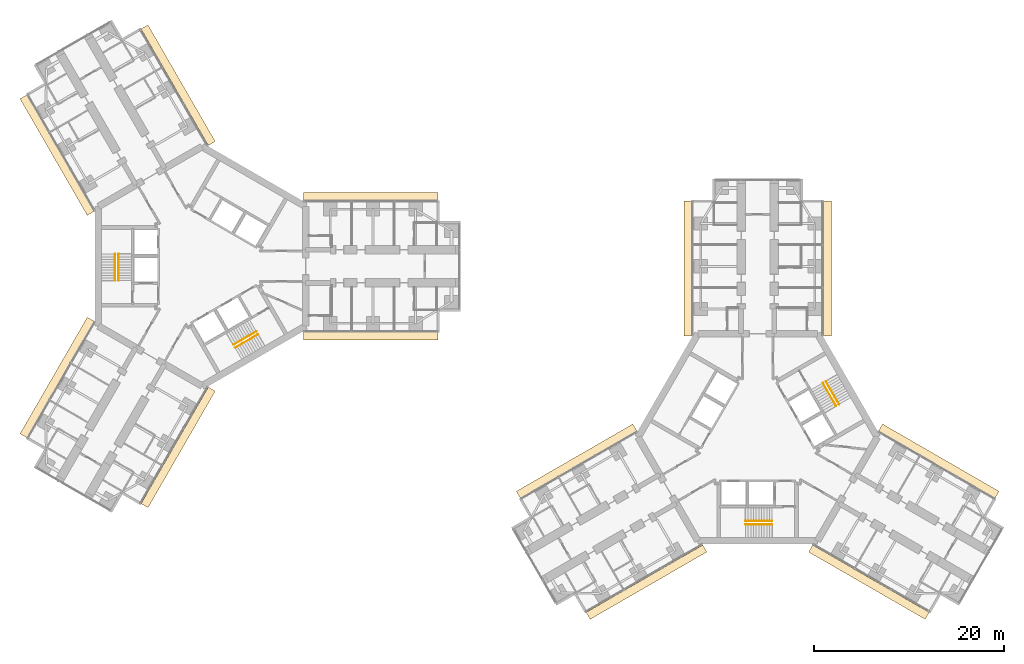
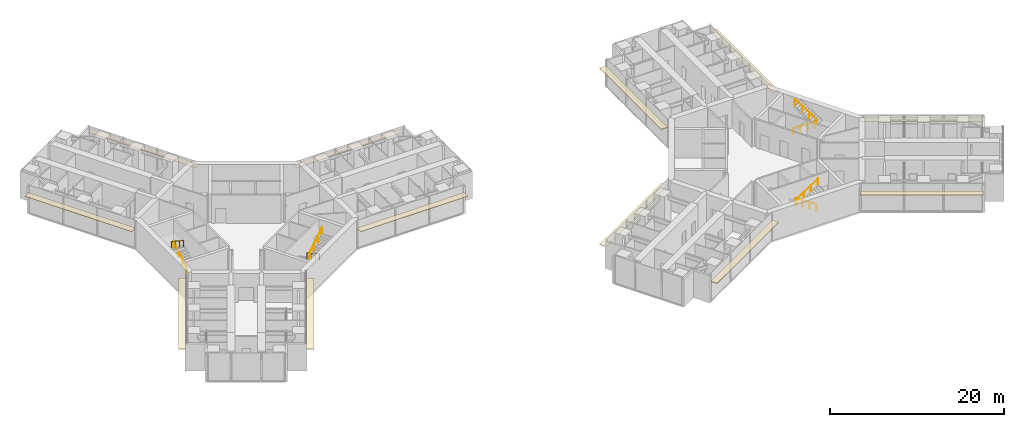
# One storey, part 25 of 25: 12 coverings, 8 railings.
"""IFC4 building model written with IfcOpenShell, lengths in metres."""

from ifc_helpers import new_model, si_unit, direction, frame, origin, origin_2d, place, context, subcontext, project, spatial, rectangle, circle, extrude, material, layer, layer_set, type_object, element, save


model = new_model("IFC4")

# Units and contexts
model_context = context("Model", 3, precision=1e-05, world=origin(), true_north=direction((0.0, 1.0)))
body_context = subcontext(model_context, "Body", "Model", "MODEL_VIEW")
ifc_project = project(units=[si_unit("LENGTHUNIT", "METRE"), si_unit("AREAUNIT", "SQUARE_METRE"), si_unit("VOLUMEUNIT", "CUBIC_METRE"), si_unit("PLANEANGLEUNIT", "RADIAN"), si_unit("MASSUNIT", "GRAM", prefix="KILO")], contexts=[model_context])

# Site, building, storey
site_placement = place(None, origin())
site = spatial("IfcSite", under=ifc_project, at=site_placement, CompositionType="ELEMENT")
building_placement = place(site_placement, origin())
building = spatial("IfcBuilding", under=site, at=building_placement, Name="Upepo Twin Towers", CompositionType="ELEMENT")
storey_placement = place(building_placement, frame((0.0, 0.0, 76.5)))
storey = spatial("IfcBuildingStorey", under=building, at=storey_placement, Name="L18", CompositionType="ELEMENT", Elevation=76.5)

# Coverings
ifc_material_1 = material(Name="Anodised aluminium, pale silver", Category="aluminium")
ifc_layer = layer(ifc_material_1, 0.080078125)
ifc_layer_set = layer_set([ifc_layer], Name="Brise-soleil blade 850 pale aluminium")
covering_type = type_object("IfcCoveringType", Name="Brise-soleil blade 850 pale aluminium", PredefinedType="USERDEFINED", material=ifc_layer_set)
for number, where, z_axis, x_axis, name in (
    (1, (17.7685546875, 7.35498046875, 2.909912109375), (0.0, 0.0, 1.0), (1.0, 0.0, 0.0), "T1 L18 wing A brise-soleil L"),
    (2, (17.7685546875, -7.35498046875, 2.909912109375), (0.0, 0.0, 1.0), (1.0, 0.0, 0.0), "T1 L18 wing A brise-soleil R"),
    (3, (-15.25390625, 11.71044921875, 2.909912109375), (0.0, 0.0, 1.0), (-0.50000003023, 0.866025386331, 0.0), "T1 L18 wing B brise-soleil L"),
    (4, (-2.5146484375, 19.0654296875, 2.909912109375), (0.0, 0.0, 1.0), (-0.50000003023, 0.866025386331, 0.0), "T1 L18 wing B brise-soleil R"),
    (5, (-2.5146484375, -19.0654296875, 2.909912109375), (0.0, 0.0, 1.0), (-0.50000003023, -0.866025386331, 0.0), "T1 L18 wing C brise-soleil L"),
    (6, (-15.25390625, -11.71044921875, 2.909912109375), (0.0, 0.0, 1.0), (-0.50000003023, -0.866025386331, 0.0), "T1 L18 wing C brise-soleil R"),
    (7, (51.14501953125, -0.2314453125, 2.909912109375), (0.0, 0.0, 1.0), (0.0, 1.0, 0.0), "T2 L18 wing A brise-soleil L"),
    (8, (65.85498046875, -0.2314453125, 2.909912109375), (0.0, 0.0, 1.0), (0.0, 1.0, 0.0), "T2 L18 wing A brise-soleil R"),
    (9, (46.78955078125, -33.25390625, 2.909912109375), (0.0, 0.0, 1.0), (-0.866025386331, -0.50000003023, 0.0), "T2 L18 wing B brise-soleil L"),
    (10, (39.4345703125, -20.5146484375, 2.909912109375), (0.0, 0.0, 1.0), (-0.866025386331, -0.50000003023, 0.0), "T2 L18 wing B brise-soleil R"),
    (11, (77.5654296875, -20.5146484375, 2.909912109375), (0.0, 0.0, 1.0), (0.866025386331, -0.50000003023, 0.0), "T2 L18 wing C brise-soleil L"),
    (12, (70.21044921875, -33.25390625, 2.909912109375), (0.0, 0.0, 1.0), (0.866025386331, -0.50000003023, 0.0), "T2 L18 wing C brise-soleil R"),
):
    element("IfcCovering", number, at=place(storey_placement, frame(where, z_axis=z_axis, x_axis=x_axis)), inside=storey, type_object=covering_type, Name=name, ObjectType="SUNSHADE", PredefinedType="USERDEFINED", context=body_context, shape_type="SweptSolid", body=[
        extrude(rectangle(XDim=14.162841796875, YDim=0.85009765625, at=origin_2d()), origin(), (0.0, 0.0, 1.0), 0.080078125),
    ])

# Railings
ifc_material_2 = material(Name="Stainless steel", Category="steel")
railing_type = type_object("IfcRailingType", Name="Stair handrail 900", PredefinedType="HANDRAIL", material=ifc_material_2)
railing_1_placement = place(storey_placement, frame((-8.800048828125, -1.52001953125, 0.181884765625)))
element("IfcRailing", 13, at=railing_1_placement, inside=storey, type_object=railing_type, Name="T1 stair S1 L18 handrail 1", PredefinedType="HANDRAIL", context=body_context, shape_type="SweptSolid", body=[
    extrude(circle(Radius=0.02392578125, at=origin_2d()), frame((0.0, 0.0, 0.8759765625), z_axis=(0.0, 0.838705829183, 0.544584733623), x_axis=(-1.0, 0.0, 0.0)), (0.0, 0.0, 1.0), 3.338623046875),
    extrude(circle(Radius=0.02099609375, at=origin_2d()), origin(), (0.0, 0.0, 1.0), 0.851806640625),
    extrude(circle(Radius=0.02099609375, at=origin_2d()), frame((0.0, 0.933349609375, 0.60595703125)), (0.0, 0.0, 1.0), 0.851806640625),
    extrude(circle(Radius=0.02099609375, at=origin_2d()), frame((0.0, 1.86669921875, 1.212158203125)), (0.0, 0.0, 1.0), 0.851806640625),
    extrude(circle(Radius=0.02099609375, at=origin_2d()), frame((0.0, 2.800048828125, 1.818115234375)), (0.0, 0.0, 1.0), 0.851806640625),
])
railing_2_placement = place(storey_placement, frame((-9.158447265625, 1.280029296875, 2.181884765625)))
element("IfcRailing", 14, at=railing_2_placement, inside=storey, type_object=railing_type, Name="T1 stair S1 L18 handrail 2", PredefinedType="HANDRAIL", context=body_context, shape_type="SweptSolid", body=[
    extrude(circle(Radius=0.02392578125, at=origin_2d()), frame((0.0, 0.0, 0.8759765625), z_axis=(0.0, -0.838705829183, 0.544584733623), x_axis=(1.0, 0.0, 0.0)), (0.0, 0.0, 1.0), 3.338623046875),
    extrude(circle(Radius=0.02099609375, at=origin_2d()), origin(), (0.0, 0.0, 1.0), 0.851806640625),
    extrude(circle(Radius=0.02099609375, at=origin_2d()), frame((0.0, -0.933349609375, 0.60595703125)), (0.0, 0.0, 1.0), 0.851806640625),
    extrude(circle(Radius=0.02099609375, at=origin_2d()), frame((0.0, -1.86669921875, 1.212158203125)), (0.0, 0.0, 1.0), 0.851806640625),
    extrude(circle(Radius=0.02099609375, at=origin_2d()), frame((0.0, -2.800048828125, 1.818115234375)), (0.0, 0.0, 1.0), 0.851806640625),
])
railing_3_placement = place(storey_placement, frame((5.71630859375, -6.861083984375, 0.181884765625)))
element("IfcRailing", 15, at=railing_3_placement, inside=storey, type_object=railing_type, Name="T1 stair S2 L18 handrail 1", PredefinedType="HANDRAIL", context=body_context, shape_type="SweptSolid", body=[
    extrude(circle(Radius=0.02392578125, at=origin_2d()), frame((0.0, 0.0, 0.8759765625), z_axis=(-0.726336304947, -0.419332699614, 0.544605966869), x_axis=(0.49998411664, -0.866034573852, 0.0)), (0.0, 0.0, 1.0), 3.33837890625),
    extrude(circle(Radius=0.02099609375, at=origin_2d()), origin(), (0.0, 0.0, 1.0), 0.851806640625),
    extrude(circle(Radius=0.02099609375, at=origin_2d()), frame((-0.808349609375, -0.466552734375, 0.60595703125)), (0.0, 0.0, 1.0), 0.851806640625),
    extrude(circle(Radius=0.02099609375, at=origin_2d()), frame((-1.616455078125, -0.933349609375, 1.212158203125)), (0.0, 0.0, 1.0), 0.851806640625),
    extrude(circle(Radius=0.02099609375, at=origin_2d()), frame((-2.4248046875, -1.39990234375, 1.818115234375)), (0.0, 0.0, 1.0), 0.851806640625),
])
railing_4_placement = place(storey_placement, frame((3.470703125, -8.5712890625, 2.181884765625)))
element("IfcRailing", 16, at=railing_4_placement, inside=storey, type_object=railing_type, Name="T1 stair S2 L18 handrail 2", PredefinedType="HANDRAIL", context=body_context, shape_type="SweptSolid", body=[
    extrude(circle(Radius=0.02392578125, at=origin_2d()), frame((0.0, 0.0, 0.8759765625), z_axis=(0.726336304947, 0.419332699614, 0.544605966869), x_axis=(-0.49998411664, 0.866034573852, 0.0)), (0.0, 0.0, 1.0), 3.33837890625),
    extrude(circle(Radius=0.02099609375, at=origin_2d()), origin(), (0.0, 0.0, 1.0), 0.851806640625),
    extrude(circle(Radius=0.02099609375, at=origin_2d()), frame((0.808349609375, 0.466552734375, 0.60595703125)), (0.0, 0.0, 1.0), 0.851806640625),
    extrude(circle(Radius=0.02099609375, at=origin_2d()), frame((1.616455078125, 0.933349609375, 1.212158203125)), (0.0, 0.0, 1.0), 0.851806640625),
    extrude(circle(Radius=0.02099609375, at=origin_2d()), frame((2.4248046875, 1.39990234375, 1.818115234375)), (0.0, 0.0, 1.0), 0.851806640625),
])
railing_5_placement = place(storey_placement, frame((60.02001953125, -26.800048828125, 0.181884765625)))
element("IfcRailing", 17, at=railing_5_placement, inside=storey, type_object=railing_type, Name="T2 stair S1 L18 handrail 1", PredefinedType="HANDRAIL", context=body_context, shape_type="SweptSolid", body=[
    extrude(circle(Radius=0.02392578125, at=origin_2d()), frame((0.0, 0.0, 0.8759765625), z_axis=(-0.838705829183, 0.0, 0.544584733623), x_axis=(0.0, -1.0, 0.0)), (0.0, 0.0, 1.0), 3.338623046875),
    extrude(circle(Radius=0.02099609375, at=origin_2d()), origin(), (0.0, 0.0, 1.0), 0.851806640625),
    extrude(circle(Radius=0.02099609375, at=origin_2d()), frame((-0.933349609375, 0.0, 0.60595703125)), (0.0, 0.0, 1.0), 0.851806640625),
    extrude(circle(Radius=0.02099609375, at=origin_2d()), frame((-1.86669921875, 0.0, 1.212158203125)), (0.0, 0.0, 1.0), 0.851806640625),
    extrude(circle(Radius=0.02099609375, at=origin_2d()), frame((-2.800048828125, 0.0, 1.818115234375)), (0.0, 0.0, 1.0), 0.851806640625),
])
railing_6_placement = place(storey_placement, frame((57.219970703125, -27.158447265625, 2.181884765625)))
element("IfcRailing", 18, at=railing_6_placement, inside=storey, type_object=railing_type, Name="T2 stair S1 L18 handrail 2", PredefinedType="HANDRAIL", context=body_context, shape_type="SweptSolid", body=[
    extrude(circle(Radius=0.02392578125, at=origin_2d()), frame((0.0, 0.0, 0.8759765625), z_axis=(0.838705829183, 0.0, 0.544584733623), x_axis=(0.0, 1.0, 0.0)), (0.0, 0.0, 1.0), 3.338623046875),
    extrude(circle(Radius=0.02099609375, at=origin_2d()), origin(), (0.0, 0.0, 1.0), 0.851806640625),
    extrude(circle(Radius=0.02099609375, at=origin_2d()), frame((0.933349609375, 0.0, 0.60595703125)), (0.0, 0.0, 1.0), 0.851806640625),
    extrude(circle(Radius=0.02099609375, at=origin_2d()), frame((1.86669921875, 0.0, 1.212158203125)), (0.0, 0.0, 1.0), 0.851806640625),
    extrude(circle(Radius=0.02099609375, at=origin_2d()), frame((2.800048828125, 0.0, 1.818115234375)), (0.0, 0.0, 1.0), 0.851806640625),
])
railing_7_placement = place(storey_placement, frame((65.361083984375, -12.28369140625, 0.181884765625)))
element("IfcRailing", 19, at=railing_7_placement, inside=storey, type_object=railing_type, Name="T2 stair S2 L18 handrail 1", PredefinedType="HANDRAIL", context=body_context, shape_type="SweptSolid", body=[
    extrude(circle(Radius=0.02392578125, at=origin_2d()), frame((0.0, 0.0, 0.8759765625), z_axis=(0.419332699614, -0.726336304947, 0.544605966869), x_axis=(0.866034573852, 0.49998411664, 0.0)), (0.0, 0.0, 1.0), 3.33837890625),
    extrude(circle(Radius=0.02099609375, at=origin_2d()), origin(), (0.0, 0.0, 1.0), 0.851806640625),
    extrude(circle(Radius=0.02099609375, at=origin_2d()), frame((0.466552734375, -0.808349609375, 0.60595703125)), (0.0, 0.0, 1.0), 0.851806640625),
    extrude(circle(Radius=0.02099609375, at=origin_2d()), frame((0.933349609375, -1.616455078125, 1.212158203125)), (0.0, 0.0, 1.0), 0.851806640625),
    extrude(circle(Radius=0.02099609375, at=origin_2d()), frame((1.39990234375, -2.4248046875, 1.818115234375)), (0.0, 0.0, 1.0), 0.851806640625),
])
railing_8_placement = place(storey_placement, frame((67.0712890625, -14.529296875, 2.181884765625)))
element("IfcRailing", 20, at=railing_8_placement, inside=storey, type_object=railing_type, Name="T2 stair S2 L18 handrail 2", PredefinedType="HANDRAIL", context=body_context, shape_type="SweptSolid", body=[
    extrude(circle(Radius=0.02392578125, at=origin_2d()), frame((0.0, 0.0, 0.8759765625), z_axis=(-0.419332699614, 0.726336304947, 0.544605966869), x_axis=(-0.866034573852, -0.49998411664, 0.0)), (0.0, 0.0, 1.0), 3.33837890625),
    extrude(circle(Radius=0.02099609375, at=origin_2d()), origin(), (0.0, 0.0, 1.0), 0.851806640625),
    extrude(circle(Radius=0.02099609375, at=origin_2d()), frame((-0.466552734375, 0.808349609375, 0.60595703125)), (0.0, 0.0, 1.0), 0.851806640625),
    extrude(circle(Radius=0.02099609375, at=origin_2d()), frame((-0.933349609375, 1.616455078125, 1.212158203125)), (0.0, 0.0, 1.0), 0.851806640625),
    extrude(circle(Radius=0.02099609375, at=origin_2d()), frame((-1.39990234375, 2.4248046875, 1.818115234375)), (0.0, 0.0, 1.0), 0.851806640625),
])

save(model, "model.ifc")
